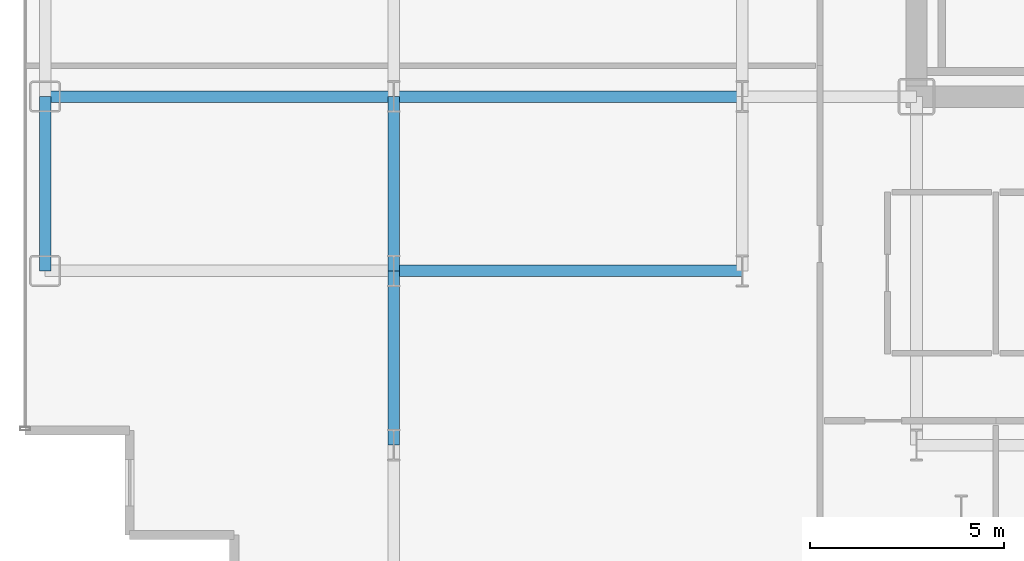
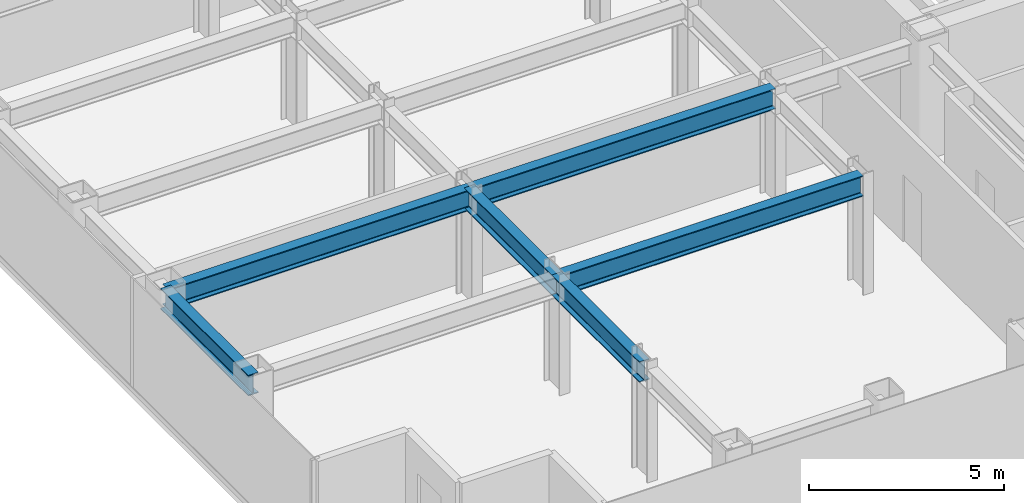
# One storey, part 4 of 23: 6 beams.
"""IFC4 building model written with IfcOpenShell, lengths in metres."""

from ifc_helpers import new_model, si_unit, direction, frame, origin, origin_2d, place, context, subcontext, project, spatial, i_section, extrude, source, transform, mapped, material, material_profile, profile_set, type_object, element, save


model = new_model("IFC4")

# Units and contexts
model_context = context("Model", 3, precision=1e-05, world=origin(), true_north=direction((0.0, 1.0)))
body_context = subcontext(model_context, "Body", "Model", "MODEL_VIEW")
ifc_project = project(units=[si_unit("LENGTHUNIT", "METRE"), si_unit("AREAUNIT", "SQUARE_METRE"), si_unit("VOLUMEUNIT", "CUBIC_METRE"), si_unit("PLANEANGLEUNIT", "RADIAN"), si_unit("MASSUNIT", "GRAM", prefix="KILO")], contexts=[model_context])

# Site, building, storey
site_placement = place(None, origin())
site = spatial("IfcSite", under=ifc_project, at=site_placement, CompositionType="ELEMENT")
building_placement = place(site_placement, origin())
building = spatial("IfcBuilding", under=site, at=building_placement, Name="Nefas-Gora Pilgrimage Tower", CompositionType="ELEMENT")
storey_placement = place(building_placement, frame((0.0, 0.0, 152.60009765625)))
storey = spatial("IfcBuildingStorey", under=building, at=storey_placement, Name="L37", CompositionType="ELEMENT", Elevation=152.60009765625)

# Beams
ifc_material = material(Name="Steel S355", Category="steel")
ifc_material_profile_1 = material_profile(ifc_material, i_section(OverallWidth=0.300048828125, OverallDepth=0.64990234375, WebThickness=0.01611328125, FlangeThickness=0.031005859375, FilletRadius=0.027099609375, at=origin_2d()), Name="HEB 650")
ifc_profile_set_1 = profile_set([ifc_material_profile_1], Name="Steel S355")
beam_type_1 = type_object("IfcBeamType", Name="BM-SPN-HEB500", PredefinedType="SPANDREL", material=ifc_profile_set_1)
shared_shape_1 = source(origin(), body_context, "Body", "SweptSolid", [
    extrude(i_section(OverallWidth=0.300048828125, OverallDepth=0.64990234375, WebThickness=0.01611328125, FlangeThickness=0.031005859375, FilletRadius=0.027099609375, at=origin_2d()), origin(), (0.0, 0.0, 1.0), 4.5),
])
beam_placement = place(storey_placement, frame((-33.75, -13.5, 3.224853515625), z_axis=(0.0, 1.0, 0.0), x_axis=(-1.0, 0.0, 0.0)))
element("IfcBeam", 1, at=beam_placement, inside=storey, type_object=beam_type_1, Name="L37 SP-02 beam", PredefinedType="SPANDREL", context=body_context, shape_type="MappedRepresentation", body=[
    mapped(shared_shape_1, transform((0.0, 0.0, 0.0), x_axis=(1.0, 0.0, 0.0), y_axis=(0.0, 1.0, 0.0), z_axis=(0.0, 0.0, 1.0), scale=1.0)),
])
ifc_material_profile_2 = material_profile(ifc_material, i_section(OverallWidth=0.300048828125, OverallDepth=0.64990234375, WebThickness=0.01611328125, FlangeThickness=0.031005859375, FilletRadius=0.027099609375, at=origin_2d()), Name="HEB 650")
ifc_profile_set_2 = profile_set([ifc_material_profile_2], Name="Steel S355")
beam_type_2 = type_object("IfcBeamType", Name="BM-GIR-HEB650", PredefinedType="BEAM", material=ifc_profile_set_2)
shared_shape_2 = source(origin(), body_context, "Body", "SweptSolid", [
    extrude(i_section(OverallWidth=0.300048828125, OverallDepth=0.64990234375, WebThickness=0.01611328125, FlangeThickness=0.031005859375, FilletRadius=0.027099609375, at=origin_2d()), origin(), (0.0, 0.0, 1.0), 9.0),
])
for number, where, z_axis, x_axis, name in (
    (2, (-33.75, -9.0, 3.224853515625), (1.0, 0.0, 0.0), (0.0, 1.0, 0.0), "L37 G-03 beam"),
    (3, (-24.75, -13.5, 3.224853515625), (1.0, 0.0, 0.0), (0.0, 1.0, 0.0), "L37 G-03 beam"),
    (4, (-24.75, -9.0, 3.224853515625), (1.0, 0.0, 0.0), (0.0, 1.0, 0.0), "L37 G-03 beam"),
):
    element("IfcBeam", number, at=place(storey_placement, frame(where, z_axis=z_axis, x_axis=x_axis)), inside=storey, type_object=beam_type_2, Name=name, PredefinedType="BEAM", context=body_context, shape_type="MappedRepresentation", body=[
        mapped(shared_shape_2, transform((0.0, 0.0, 0.0), x_axis=(1.0, 0.0, 0.0), y_axis=(0.0, 1.0, 0.0), z_axis=(0.0, 0.0, 1.0), scale=1.0)),
    ])
shared_shape_3 = source(origin(), body_context, "Body", "SweptSolid", [
    extrude(i_section(OverallWidth=0.300048828125, OverallDepth=0.64990234375, WebThickness=0.01611328125, FlangeThickness=0.031005859375, FilletRadius=0.027099609375, at=origin_2d()), origin(), (0.0, 0.0, 1.0), 4.5),
])
for number, where, z_axis, x_axis, name in (
    (5, (-24.75, -18.0, 3.224853515625), (0.0, 1.0, 0.0), (-1.0, 0.0, 0.0), "L37 G-03 beam"),
    (6, (-24.75, -13.5, 3.224853515625), (0.0, 1.0, 0.0), (-1.0, 0.0, 0.0), "L37 G-03 beam"),
):
    element("IfcBeam", number, at=place(storey_placement, frame(where, z_axis=z_axis, x_axis=x_axis)), inside=storey, type_object=beam_type_2, Name=name, PredefinedType="BEAM", context=body_context, shape_type="MappedRepresentation", body=[
        mapped(shared_shape_3, transform((0.0, 0.0, 0.0), x_axis=(1.0, 0.0, 0.0), y_axis=(0.0, 1.0, 0.0), z_axis=(0.0, 0.0, 1.0), scale=1.0)),
    ])

save(model, "model.ifc")
